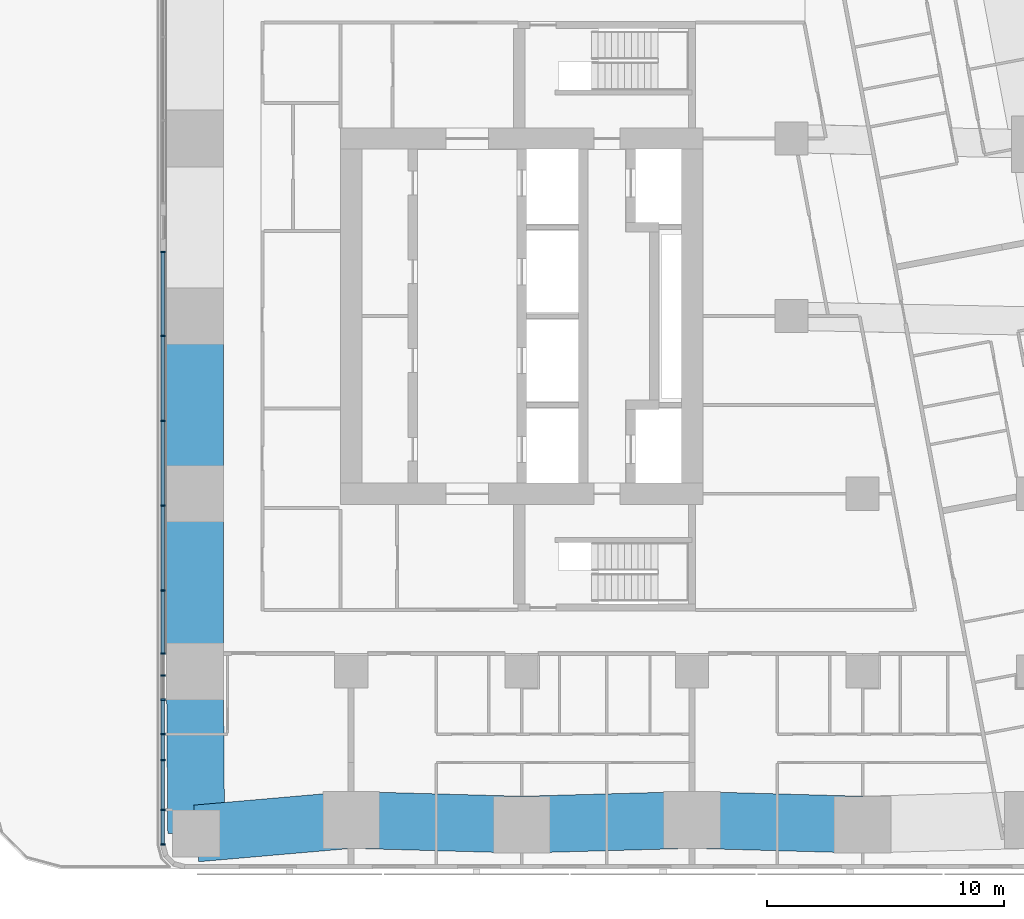
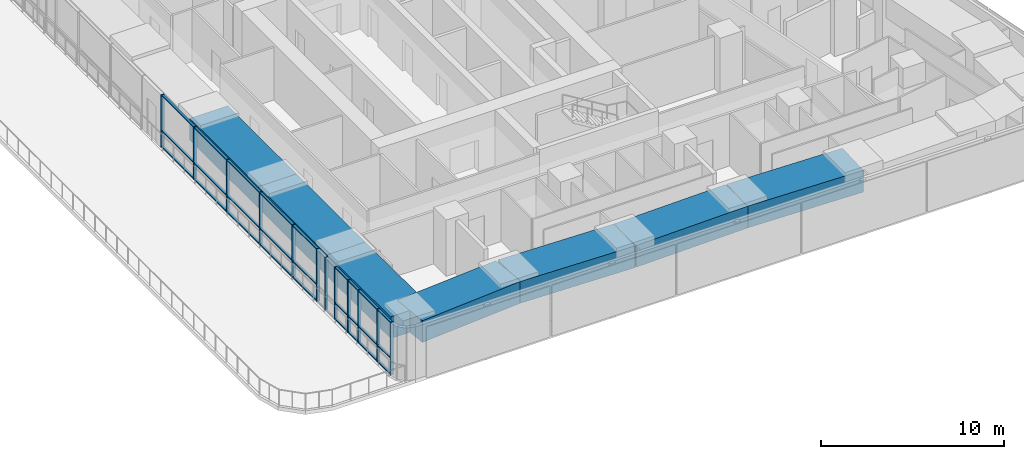
# One storey, part 2 of 17: 39 members, 7 beams, 1 element without a shape of its own.
"""IFC4 building model written with IfcOpenShell, lengths in metres."""

from ifc_helpers import new_model, si_unit, direction, frame, origin, origin_2d, place, context, subcontext, project, spatial, rectangle, extrude, material, material_profile, profile_set, type_object, element, aggregate, save


model = new_model("IFC4")

# Units and contexts
model_context = context("Model", 3, precision=1e-05, world=origin(), true_north=direction((0.0, 1.0)))
body_context = subcontext(model_context, "Body", "Model", "MODEL_VIEW")
ifc_project = project(units=[si_unit("LENGTHUNIT", "METRE"), si_unit("AREAUNIT", "SQUARE_METRE"), si_unit("VOLUMEUNIT", "CUBIC_METRE"), si_unit("PLANEANGLEUNIT", "RADIAN"), si_unit("MASSUNIT", "GRAM", prefix="KILO")], contexts=[model_context])

# Site, building, storey
site_placement = place(None, origin())
site = spatial("IfcSite", under=ifc_project, at=site_placement, CompositionType="ELEMENT")
building_placement = place(site_placement, origin())
building = spatial("IfcBuilding", under=site, at=building_placement, Name="Sheger Commons Tower", CompositionType="ELEMENT")
storey_placement = place(building_placement, frame((0.0, 0.0, 193.699951171875)))
storey = spatial("IfcBuildingStorey", under=building, at=storey_placement, Name="L49", CompositionType="ELEMENT", Elevation=193.699951171875)

# Curtain wall, members
ifc_material_1 = material(Name="Black aluminium curtain wall, dark tinted glazing", Category="aluminium")
curtain_wall_type = type_object("IfcCurtainWallType", Name="CURTAIN WALL CW4 GALLERY", PredefinedType="USERDEFINED", material=ifc_material_1)
curtain_wall_placement = place(storey_placement, origin())
curtain_wall = element("IfcCurtainWall", 1, at=curtain_wall_placement, inside=storey, type_object=curtain_wall_type, Name="Curtain Wall Cw4 Gallery W1 L49", ObjectType="UNITISED CURTAIN WALL", PredefinedType="USERDEFINED")
ifc_material_2 = material(Name="Black anodised aluminium", Category="aluminium")
ifc_material_profile_1 = material_profile(ifc_material_2, rectangle(XDim=0.199951171875, YDim=0.06494140625, at=origin_2d()), Name="AL 65x200")
ifc_profile_set_1 = profile_set([ifc_material_profile_1], Name="Black anodised aluminium")
member_type_1 = type_object("IfcMemberType", Name="MULLION AL 65x200", PredefinedType="MULLION", material=ifc_profile_set_1)
member_1_placement = place(storey_placement, frame((6.449951171875, 25.217529296875, 0.0), z_axis=(0.0, 0.0, 1.0), x_axis=(1.0, 0.0, 0.0)))
member_1 = element("IfcMember", 2, at=member_1_placement, type_object=member_type_1, Name="CW4 mullion 1", PredefinedType="MULLION", context=body_context, shape_type="SweptSolid", body=[
    extrude(rectangle(XDim=0.199951171875, YDim=0.06494140625, at=origin_2d()), origin(), (0.0, 0.0, 1.0), 3.5),
])
member_2_placement = place(storey_placement, frame((6.449951171875, 21.666015625, 0.0), z_axis=(0.0, 0.0, 1.0), x_axis=(1.0, 0.0, 0.0)))
member_2 = element("IfcMember", 3, at=member_2_placement, type_object=member_type_1, Name="CW4 mullion 2", PredefinedType="MULLION", context=body_context, shape_type="SweptSolid", body=[
    extrude(rectangle(XDim=0.199951171875, YDim=0.06494140625, at=origin_2d()), origin(), (0.0, 0.0, 1.0), 3.5),
])
member_3_placement = place(storey_placement, frame((6.449951171875, 18.08203125, 0.0), z_axis=(0.0, 0.0, 1.0), x_axis=(1.0, 0.0, 0.0)))
member_3 = element("IfcMember", 4, at=member_3_placement, type_object=member_type_1, Name="CW4 mullion 3", PredefinedType="MULLION", context=body_context, shape_type="SweptSolid", body=[
    extrude(rectangle(XDim=0.199951171875, YDim=0.06494140625, at=origin_2d()), origin(), (0.0, 0.0, 1.0), 3.5),
])
member_4_placement = place(storey_placement, frame((6.449951171875, 14.498046875, 0.0), z_axis=(0.0, 0.0, 1.0), x_axis=(1.0, 0.0, 0.0)))
member_4 = element("IfcMember", 5, at=member_4_placement, type_object=member_type_1, Name="CW4 mullion 4", PredefinedType="MULLION", context=body_context, shape_type="SweptSolid", body=[
    extrude(rectangle(XDim=0.199951171875, YDim=0.06494140625, at=origin_2d()), origin(), (0.0, 0.0, 1.0), 3.5),
])
member_5_placement = place(storey_placement, frame((6.449951171875, 10.9150390625, 0.0), z_axis=(0.0, 0.0, 1.0), x_axis=(1.0, 0.0, 0.0)))
member_5 = element("IfcMember", 6, at=member_5_placement, type_object=member_type_1, Name="CW4 mullion 5", PredefinedType="MULLION", context=body_context, shape_type="SweptSolid", body=[
    extrude(rectangle(XDim=0.199951171875, YDim=0.06494140625, at=origin_2d()), origin(), (0.0, 0.0, 1.0), 3.5),
])
member_6_placement = place(storey_placement, frame((6.449951171875, 8.25, 0.0), z_axis=(0.0, 0.0, 1.0), x_axis=(1.0, 0.0, 0.0)))
member_6 = element("IfcMember", 7, at=member_6_placement, type_object=member_type_1, Name="CW4 mullion 6", PredefinedType="MULLION", context=body_context, shape_type="SweptSolid", body=[
    extrude(rectangle(XDim=0.199951171875, YDim=0.06494140625, at=origin_2d()), origin(), (0.0, 0.0, 1.0), 3.5),
])
member_7_placement = place(storey_placement, frame((6.449951171875, 7.3310546875, 0.0), z_axis=(0.0, 0.0, 1.0), x_axis=(1.0, 0.0, 0.0)))
member_7 = element("IfcMember", 8, at=member_7_placement, type_object=member_type_1, Name="CW4 mullion 7", PredefinedType="MULLION", context=body_context, shape_type="SweptSolid", body=[
    extrude(rectangle(XDim=0.199951171875, YDim=0.06494140625, at=origin_2d()), origin(), (0.0, 0.0, 1.0), 3.5),
])
member_8_placement = place(storey_placement, frame((6.449951171875, 6.300048828125, 0.0), z_axis=(0.0, 0.0, 1.0), x_axis=(1.0, 0.0, 0.0)))
member_8 = element("IfcMember", 9, at=member_8_placement, type_object=member_type_1, Name="CW4 mullion 8", PredefinedType="MULLION", context=body_context, shape_type="SweptSolid", body=[
    extrude(rectangle(XDim=0.199951171875, YDim=0.06494140625, at=origin_2d()), origin(), (0.0, 0.0, 1.0), 3.5),
])
member_9_placement = place(storey_placement, frame((6.449951171875, 4.85009765625, 0.0), z_axis=(0.0, 0.0, 1.0), x_axis=(1.0, 0.0, 0.0)))
member_9 = element("IfcMember", 10, at=member_9_placement, type_object=member_type_1, Name="CW4 mullion 9", PredefinedType="MULLION", context=body_context, shape_type="SweptSolid", body=[
    extrude(rectangle(XDim=0.199951171875, YDim=0.06494140625, at=origin_2d()), origin(), (0.0, 0.0, 1.0), 3.5),
])
member_10_placement = place(storey_placement, frame((6.449951171875, 3.7470703125, 0.0), z_axis=(0.0, 0.0, 1.0), x_axis=(1.0, 0.0, 0.0)))
member_10 = element("IfcMember", 11, at=member_10_placement, type_object=member_type_1, Name="CW4 mullion 10", PredefinedType="MULLION", context=body_context, shape_type="SweptSolid", body=[
    extrude(rectangle(XDim=0.199951171875, YDim=0.06494140625, at=origin_2d()), origin(), (0.0, 0.0, 1.0), 3.5),
])
member_11_placement = place(storey_placement, frame((6.449951171875, 1.654052734375, 0.0), z_axis=(0.0, 0.0, 1.0), x_axis=(1.0, 0.0, 0.0)))
member_11 = element("IfcMember", 12, at=member_11_placement, type_object=member_type_1, Name="CW4 mullion 11", PredefinedType="MULLION", context=body_context, shape_type="SweptSolid", body=[
    extrude(rectangle(XDim=0.199951171875, YDim=0.06494140625, at=origin_2d()), origin(), (0.0, 0.0, 1.0), 3.5),
])
member_12_placement = place(storey_placement, frame((6.449951171875, 0.195556640625, 0.0), z_axis=(0.0, 0.0, 1.0), x_axis=(1.0, 0.0, 0.0)))
member_12 = element("IfcMember", 13, at=member_12_placement, type_object=member_type_1, Name="CW4 mullion 12", PredefinedType="MULLION", context=body_context, shape_type="SweptSolid", body=[
    extrude(rectangle(XDim=0.199951171875, YDim=0.06494140625, at=origin_2d()), origin(), (0.0, 0.0, 1.0), 3.5),
])

# Beams
ifc_material_3 = material(Name="Concrete C50/60", Category="concrete")
ifc_material_profile_2 = material_profile(ifc_material_3, rectangle(XDim=2.39990234375, YDim=1.449951171875, at=origin_2d()), Name="RC 2400x1450")
ifc_profile_set_2 = profile_set([ifc_material_profile_2], Name="Concrete C50/60")
beam_type = type_object("IfcBeamType", Name="SPANDREL RC 2400x1450", PredefinedType="SPANDREL", material=ifc_profile_set_2)
beam_1_placement = place(storey_placement, frame((7.85400390625, 0.654052734375, 2.775146484375), z_axis=(0.996216429799, 0.086906990501, 0.0), x_axis=(-0.086906990501, 0.996216429799, 0.0)))
element("IfcBeam", 14, at=beam_1_placement, inside=storey, type_object=beam_type, Name="Beam 2/A-3/A under L50", PredefinedType="SPANDREL", context=body_context, shape_type="SweptSolid", body=[
    extrude(rectangle(XDim=2.39990234375, YDim=1.449951171875, at=origin_2d()), origin(), (0.0, 0.0, 1.0), 6.57080078125),
])
beam_2_placement = place(storey_placement, frame((14.39990234375, 1.22509765625, 2.775146484375), z_axis=(0.999613688584, -0.027793409217, 0.0), x_axis=(0.027793409217, 0.999613688584, 0.0)))
element("IfcBeam", 15, at=beam_2_placement, inside=storey, type_object=beam_type, Name="Beam 3/A-4/A under L50", PredefinedType="SPANDREL", context=body_context, shape_type="SweptSolid", body=[
    extrude(rectangle(XDim=2.39990234375, YDim=1.449951171875, at=origin_2d()), origin(), (0.0, 0.0, 1.0), 7.202880859375),
])
for number, where, z_axis, x_axis, name in (
    (16, (21.60009765625, 1.02490234375, 2.775146484375), (0.9996136624, 0.027794350926, 0.0), (-0.027794350926, 0.9996136624, 0.0), "Beam 4/A-5/A under L50"),
    (17, (28.800048828125, 1.22509765625, 2.775146484375), (0.9996136624, -0.027794350926, 0.0), (0.027794350926, 0.9996136624, 0.0), "Beam 5/A-6/A under L50"),
):
    element("IfcBeam", number, at=place(storey_placement, frame(where, z_axis=z_axis, x_axis=x_axis)), inside=storey, type_object=beam_type, Name=name, PredefinedType="SPANDREL", context=body_context, shape_type="SweptSolid", body=[
        extrude(rectangle(XDim=2.39990234375, YDim=1.449951171875, at=origin_2d()), origin(), (0.0, 0.0, 1.0), 7.20263671875),
    ])
for number, where, z_axis, x_axis, name in (
    (18, (7.800048828125, 22.5, 2.775146484375), (0.0, -1.0, 0.0), (1.0, 0.0, 0.0), "Beam 2/D-2/C under L50"),
    (19, (7.800048828125, 15.0, 2.775146484375), (0.0, -1.0, 0.0), (1.0, 0.0, 0.0), "Beam 2/C-2/B under L50"),
):
    element("IfcBeam", number, at=place(storey_placement, frame(where, z_axis=z_axis, x_axis=x_axis)), inside=storey, type_object=beam_type, Name=name, PredefinedType="SPANDREL", context=body_context, shape_type="SweptSolid", body=[
        extrude(rectangle(XDim=2.39990234375, YDim=1.449951171875, at=origin_2d()), origin(), (0.0, 0.0, 1.0), 7.5),
    ])
beam_3_placement = place(storey_placement, frame((7.800048828125, 7.5, 2.775146484375), z_axis=(0.00788107188, -0.999968943871, 0.0), x_axis=(0.999968943871, 0.00788107188, 0.0)))
element("IfcBeam", 20, at=beam_3_placement, inside=storey, type_object=beam_type, Name="Beam 2/B-2/A under L50", PredefinedType="SPANDREL", context=body_context, shape_type="SweptSolid", body=[
    extrude(rectangle(XDim=2.39990234375, YDim=1.449951171875, at=origin_2d()), origin(), (0.0, 0.0, 1.0), 6.84619140625),
])

# Member
ifc_material_4 = material(Name="Black anodised aluminium", Category="aluminium")
ifc_material_profile_3 = material_profile(ifc_material_4, rectangle(XDim=0.14990234375, YDim=0.06494140625, at=origin_2d()), Name="AL 65x150")
ifc_profile_set_3 = profile_set([ifc_material_profile_3], Name="Black anodised aluminium")
member_type_2 = type_object("IfcMemberType", Name="TRANSOM AL 65x150", PredefinedType="USERDEFINED", material=ifc_profile_set_3)
member_13_placement = place(storey_placement, frame((6.449951171875, 25.18505859375, 0.032470703125), z_axis=(0.0, -1.0, 0.0), x_axis=(1.0, 0.0, 0.0)))
member_13 = element("IfcMember", 21, at=member_13_placement, type_object=member_type_2, Name="CW4 transom 1.1", ObjectType="TRANSOM", PredefinedType="USERDEFINED", context=body_context, shape_type="SweptSolid", body=[
    extrude(rectangle(XDim=0.14990234375, YDim=0.06494140625, at=origin_2d()), origin(), (0.0, 0.0, 1.0), 3.486572265625),
])

member_14_placement = place(storey_placement, frame((6.449951171875, 25.18505859375, 1.10009765625), z_axis=(0.0, -1.0, 0.0), x_axis=(1.0, 0.0, 0.0)))
member_14 = element("IfcMember", 22, at=member_14_placement, type_object=member_type_2, Name="CW4 transom 1.2", ObjectType="TRANSOM", PredefinedType="USERDEFINED", context=body_context, shape_type="SweptSolid", body=[
    extrude(rectangle(XDim=0.14990234375, YDim=0.06494140625, at=origin_2d()), origin(), (0.0, 0.0, 1.0), 3.486572265625),
])

member_15_placement = place(storey_placement, frame((6.449951171875, 25.18505859375, 3.467529296875), z_axis=(0.0, -1.0, 0.0), x_axis=(1.0, 0.0, 0.0)))
member_15 = element("IfcMember", 23, at=member_15_placement, type_object=member_type_2, Name="CW4 transom 1.3", ObjectType="TRANSOM", PredefinedType="USERDEFINED", context=body_context, shape_type="SweptSolid", body=[
    extrude(rectangle(XDim=0.14990234375, YDim=0.06494140625, at=origin_2d()), origin(), (0.0, 0.0, 1.0), 3.486572265625),
])

member_16_placement = place(storey_placement, frame((6.449951171875, 21.633544921875, 0.032470703125), z_axis=(0.0, -1.0, 0.0), x_axis=(1.0, 0.0, 0.0)))
member_16 = element("IfcMember", 24, at=member_16_placement, type_object=member_type_2, Name="CW4 transom 2.1", ObjectType="TRANSOM", PredefinedType="USERDEFINED", context=body_context, shape_type="SweptSolid", body=[
    extrude(rectangle(XDim=0.14990234375, YDim=0.06494140625, at=origin_2d()), origin(), (0.0, 0.0, 1.0), 3.51904296875),
])

member_17_placement = place(storey_placement, frame((6.449951171875, 21.633544921875, 1.10009765625), z_axis=(0.0, -1.0, 0.0), x_axis=(1.0, 0.0, 0.0)))
member_17 = element("IfcMember", 25, at=member_17_placement, type_object=member_type_2, Name="CW4 transom 2.2", ObjectType="TRANSOM", PredefinedType="USERDEFINED", context=body_context, shape_type="SweptSolid", body=[
    extrude(rectangle(XDim=0.14990234375, YDim=0.06494140625, at=origin_2d()), origin(), (0.0, 0.0, 1.0), 3.51904296875),
])

member_18_placement = place(storey_placement, frame((6.449951171875, 21.633544921875, 3.467529296875), z_axis=(0.0, -1.0, 0.0), x_axis=(1.0, 0.0, 0.0)))
member_18 = element("IfcMember", 26, at=member_18_placement, type_object=member_type_2, Name="CW4 transom 2.3", ObjectType="TRANSOM", PredefinedType="USERDEFINED", context=body_context, shape_type="SweptSolid", body=[
    extrude(rectangle(XDim=0.14990234375, YDim=0.06494140625, at=origin_2d()), origin(), (0.0, 0.0, 1.0), 3.51904296875),
])

member_19_placement = place(storey_placement, frame((6.449951171875, 18.049560546875, 0.032470703125), z_axis=(0.0, -1.0, 0.0), x_axis=(1.0, 0.0, 0.0)))
member_19 = element("IfcMember", 27, at=member_19_placement, type_object=member_type_2, Name="CW4 transom 3.1", ObjectType="TRANSOM", PredefinedType="USERDEFINED", context=body_context, shape_type="SweptSolid", body=[
    extrude(rectangle(XDim=0.14990234375, YDim=0.06494140625, at=origin_2d()), origin(), (0.0, 0.0, 1.0), 3.51904296875),
])

member_20_placement = place(storey_placement, frame((6.449951171875, 18.049560546875, 1.10009765625), z_axis=(0.0, -1.0, 0.0), x_axis=(1.0, 0.0, 0.0)))
member_20 = element("IfcMember", 28, at=member_20_placement, type_object=member_type_2, Name="CW4 transom 3.2", ObjectType="TRANSOM", PredefinedType="USERDEFINED", context=body_context, shape_type="SweptSolid", body=[
    extrude(rectangle(XDim=0.14990234375, YDim=0.06494140625, at=origin_2d()), origin(), (0.0, 0.0, 1.0), 3.51904296875),
])

member_21_placement = place(storey_placement, frame((6.449951171875, 18.049560546875, 3.467529296875), z_axis=(0.0, -1.0, 0.0), x_axis=(1.0, 0.0, 0.0)))
member_21 = element("IfcMember", 29, at=member_21_placement, type_object=member_type_2, Name="CW4 transom 3.3", ObjectType="TRANSOM", PredefinedType="USERDEFINED", context=body_context, shape_type="SweptSolid", body=[
    extrude(rectangle(XDim=0.14990234375, YDim=0.06494140625, at=origin_2d()), origin(), (0.0, 0.0, 1.0), 3.51904296875),
])

member_22_placement = place(storey_placement, frame((6.449951171875, 14.465576171875, 0.032470703125), z_axis=(0.0, -1.0, 0.0), x_axis=(1.0, 0.0, 0.0)))
member_22 = element("IfcMember", 30, at=member_22_placement, type_object=member_type_2, Name="CW4 transom 4.1", ObjectType="TRANSOM", PredefinedType="USERDEFINED", context=body_context, shape_type="SweptSolid", body=[
    extrude(rectangle(XDim=0.14990234375, YDim=0.06494140625, at=origin_2d()), origin(), (0.0, 0.0, 1.0), 3.51806640625),
])

member_23_placement = place(storey_placement, frame((6.449951171875, 14.465576171875, 1.10009765625), z_axis=(0.0, -1.0, 0.0), x_axis=(1.0, 0.0, 0.0)))
member_23 = element("IfcMember", 31, at=member_23_placement, type_object=member_type_2, Name="CW4 transom 4.2", ObjectType="TRANSOM", PredefinedType="USERDEFINED", context=body_context, shape_type="SweptSolid", body=[
    extrude(rectangle(XDim=0.14990234375, YDim=0.06494140625, at=origin_2d()), origin(), (0.0, 0.0, 1.0), 3.51806640625),
])

member_24_placement = place(storey_placement, frame((6.449951171875, 14.465576171875, 3.467529296875), z_axis=(0.0, -1.0, 0.0), x_axis=(1.0, 0.0, 0.0)))
member_24 = element("IfcMember", 32, at=member_24_placement, type_object=member_type_2, Name="CW4 transom 4.3", ObjectType="TRANSOM", PredefinedType="USERDEFINED", context=body_context, shape_type="SweptSolid", body=[
    extrude(rectangle(XDim=0.14990234375, YDim=0.06494140625, at=origin_2d()), origin(), (0.0, 0.0, 1.0), 3.51806640625),
])

member_25_placement = place(storey_placement, frame((6.449951171875, 10.882568359375, 0.032470703125), z_axis=(0.0, -1.0, 0.0), x_axis=(1.0, 0.0, 0.0)))
member_25 = element("IfcMember", 33, at=member_25_placement, type_object=member_type_2, Name="CW4 transom 5.1", ObjectType="TRANSOM", PredefinedType="USERDEFINED", context=body_context, shape_type="SweptSolid", body=[
    extrude(rectangle(XDim=0.14990234375, YDim=0.06494140625, at=origin_2d()), origin(), (0.0, 0.0, 1.0), 2.60009765625),
])

member_26_placement = place(storey_placement, frame((6.449951171875, 10.882568359375, 1.10009765625), z_axis=(0.0, -1.0, 0.0), x_axis=(1.0, 0.0, 0.0)))
member_26 = element("IfcMember", 34, at=member_26_placement, type_object=member_type_2, Name="CW4 transom 5.2", ObjectType="TRANSOM", PredefinedType="USERDEFINED", context=body_context, shape_type="SweptSolid", body=[
    extrude(rectangle(XDim=0.14990234375, YDim=0.06494140625, at=origin_2d()), origin(), (0.0, 0.0, 1.0), 2.60009765625),
])

member_27_placement = place(storey_placement, frame((6.449951171875, 10.882568359375, 3.467529296875), z_axis=(0.0, -1.0, 0.0), x_axis=(1.0, 0.0, 0.0)))
member_27 = element("IfcMember", 35, at=member_27_placement, type_object=member_type_2, Name="CW4 transom 5.3", ObjectType="TRANSOM", PredefinedType="USERDEFINED", context=body_context, shape_type="SweptSolid", body=[
    extrude(rectangle(XDim=0.14990234375, YDim=0.06494140625, at=origin_2d()), origin(), (0.0, 0.0, 1.0), 2.60009765625),
])

member_28_placement = place(storey_placement, frame((6.449951171875, 6.267578125, 0.032470703125), z_axis=(0.0, -1.0, 0.0), x_axis=(1.0, 0.0, 0.0)))
member_28 = element("IfcMember", 36, at=member_28_placement, type_object=member_type_2, Name="CW4 transom 8.1", ObjectType="TRANSOM", PredefinedType="USERDEFINED", context=body_context, shape_type="SweptSolid", body=[
    extrude(rectangle(XDim=0.14990234375, YDim=0.06494140625, at=origin_2d()), origin(), (0.0, 0.0, 1.0), 1.385009765625),
])

member_29_placement = place(storey_placement, frame((6.449951171875, 6.267578125, 1.10009765625), z_axis=(0.0, -1.0, 0.0), x_axis=(1.0, 0.0, 0.0)))
member_29 = element("IfcMember", 37, at=member_29_placement, type_object=member_type_2, Name="CW4 transom 8.2", ObjectType="TRANSOM", PredefinedType="USERDEFINED", context=body_context, shape_type="SweptSolid", body=[
    extrude(rectangle(XDim=0.14990234375, YDim=0.06494140625, at=origin_2d()), origin(), (0.0, 0.0, 1.0), 1.385009765625),
])

member_30_placement = place(storey_placement, frame((6.449951171875, 6.267578125, 3.467529296875), z_axis=(0.0, -1.0, 0.0), x_axis=(1.0, 0.0, 0.0)))
member_30 = element("IfcMember", 38, at=member_30_placement, type_object=member_type_2, Name="CW4 transom 8.3", ObjectType="TRANSOM", PredefinedType="USERDEFINED", context=body_context, shape_type="SweptSolid", body=[
    extrude(rectangle(XDim=0.14990234375, YDim=0.06494140625, at=origin_2d()), origin(), (0.0, 0.0, 1.0), 1.385009765625),
])

member_31_placement = place(storey_placement, frame((6.449951171875, 4.8173828125, 0.032470703125), z_axis=(0.0, -1.0, 0.0), x_axis=(1.0, 0.0, 0.0)))
member_31 = element("IfcMember", 39, at=member_31_placement, type_object=member_type_2, Name="CW4 transom 9.1", ObjectType="TRANSOM", PredefinedType="USERDEFINED", context=body_context, shape_type="SweptSolid", body=[
    extrude(rectangle(XDim=0.14990234375, YDim=0.06494140625, at=origin_2d()), origin(), (0.0, 0.0, 1.0), 1.037841796875),
])

member_32_placement = place(storey_placement, frame((6.449951171875, 4.8173828125, 1.10009765625), z_axis=(0.0, -1.0, 0.0), x_axis=(1.0, 0.0, 0.0)))
member_32 = element("IfcMember", 40, at=member_32_placement, type_object=member_type_2, Name="CW4 transom 9.2", ObjectType="TRANSOM", PredefinedType="USERDEFINED", context=body_context, shape_type="SweptSolid", body=[
    extrude(rectangle(XDim=0.14990234375, YDim=0.06494140625, at=origin_2d()), origin(), (0.0, 0.0, 1.0), 1.037841796875),
])

member_33_placement = place(storey_placement, frame((6.449951171875, 4.8173828125, 3.467529296875), z_axis=(0.0, -1.0, 0.0), x_axis=(1.0, 0.0, 0.0)))
member_33 = element("IfcMember", 41, at=member_33_placement, type_object=member_type_2, Name="CW4 transom 9.3", ObjectType="TRANSOM", PredefinedType="USERDEFINED", context=body_context, shape_type="SweptSolid", body=[
    extrude(rectangle(XDim=0.14990234375, YDim=0.06494140625, at=origin_2d()), origin(), (0.0, 0.0, 1.0), 1.037841796875),
])

member_34_placement = place(storey_placement, frame((6.449951171875, 3.714599609375, 0.032470703125), z_axis=(0.0, -1.0, 0.0), x_axis=(1.0, 0.0, 0.0)))
member_34 = element("IfcMember", 42, at=member_34_placement, type_object=member_type_2, Name="CW4 transom 10.1", ObjectType="TRANSOM", PredefinedType="USERDEFINED", context=body_context, shape_type="SweptSolid", body=[
    extrude(rectangle(XDim=0.14990234375, YDim=0.06494140625, at=origin_2d()), origin(), (0.0, 0.0, 1.0), 2.028076171875),
])

member_35_placement = place(storey_placement, frame((6.449951171875, 3.714599609375, 1.10009765625), z_axis=(0.0, -1.0, 0.0), x_axis=(1.0, 0.0, 0.0)))
member_35 = element("IfcMember", 43, at=member_35_placement, type_object=member_type_2, Name="CW4 transom 10.2", ObjectType="TRANSOM", PredefinedType="USERDEFINED", context=body_context, shape_type="SweptSolid", body=[
    extrude(rectangle(XDim=0.14990234375, YDim=0.06494140625, at=origin_2d()), origin(), (0.0, 0.0, 1.0), 2.028076171875),
])

member_36_placement = place(storey_placement, frame((6.449951171875, 3.714599609375, 3.467529296875), z_axis=(0.0, -1.0, 0.0), x_axis=(1.0, 0.0, 0.0)))
member_36 = element("IfcMember", 44, at=member_36_placement, type_object=member_type_2, Name="CW4 transom 10.3", ObjectType="TRANSOM", PredefinedType="USERDEFINED", context=body_context, shape_type="SweptSolid", body=[
    extrude(rectangle(XDim=0.14990234375, YDim=0.06494140625, at=origin_2d()), origin(), (0.0, 0.0, 1.0), 2.028076171875),
])

member_37_placement = place(storey_placement, frame((6.449951171875, 1.62158203125, 0.032470703125), z_axis=(0.0, -1.0, 0.0), x_axis=(1.0, 0.0, 0.0)))
member_37 = element("IfcMember", 45, at=member_37_placement, type_object=member_type_2, Name="CW4 transom 11.1", ObjectType="TRANSOM", PredefinedType="USERDEFINED", context=body_context, shape_type="SweptSolid", body=[
    extrude(rectangle(XDim=0.14990234375, YDim=0.06494140625, at=origin_2d()), origin(), (0.0, 0.0, 1.0), 1.3935546875),
])

member_38_placement = place(storey_placement, frame((6.449951171875, 1.62158203125, 1.10009765625), z_axis=(0.0, -1.0, 0.0), x_axis=(1.0, 0.0, 0.0)))
member_38 = element("IfcMember", 46, at=member_38_placement, type_object=member_type_2, Name="CW4 transom 11.2", ObjectType="TRANSOM", PredefinedType="USERDEFINED", context=body_context, shape_type="SweptSolid", body=[
    extrude(rectangle(XDim=0.14990234375, YDim=0.06494140625, at=origin_2d()), origin(), (0.0, 0.0, 1.0), 1.3935546875),
])

member_39_placement = place(storey_placement, frame((6.449951171875, 1.62158203125, 3.467529296875), z_axis=(0.0, -1.0, 0.0), x_axis=(1.0, 0.0, 0.0)))
member_39 = element("IfcMember", 47, at=member_39_placement, type_object=member_type_2, Name="CW4 transom 11.3", ObjectType="TRANSOM", PredefinedType="USERDEFINED", context=body_context, shape_type="SweptSolid", body=[
    extrude(rectangle(XDim=0.14990234375, YDim=0.06494140625, at=origin_2d()), origin(), (0.0, 0.0, 1.0), 1.3935546875),
])

aggregate(curtain_wall, [member_1, member_2, member_3, member_4, member_5, member_6, member_7, member_8, member_9, member_10, member_11, member_12, member_13, member_14, member_15, member_16, member_17, member_18, member_19, member_20, member_21, member_22, member_23, member_24, member_25, member_26, member_27, member_28, member_29, member_30, member_31, member_32, member_33, member_34, member_35, member_36, member_37, member_38, member_39])

save(model, "model.ifc")
